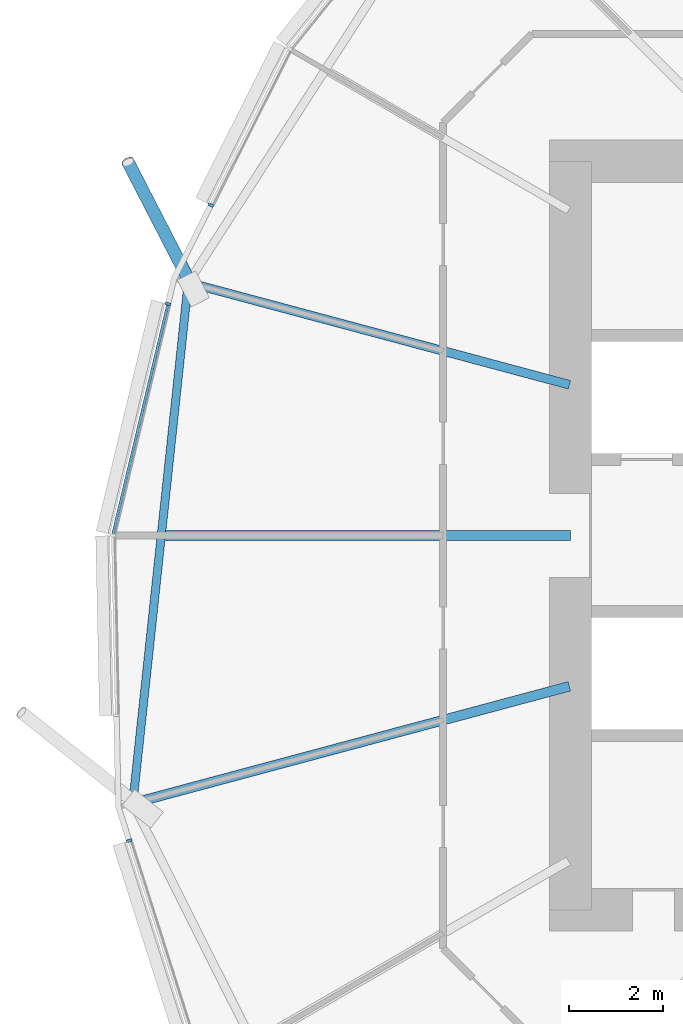
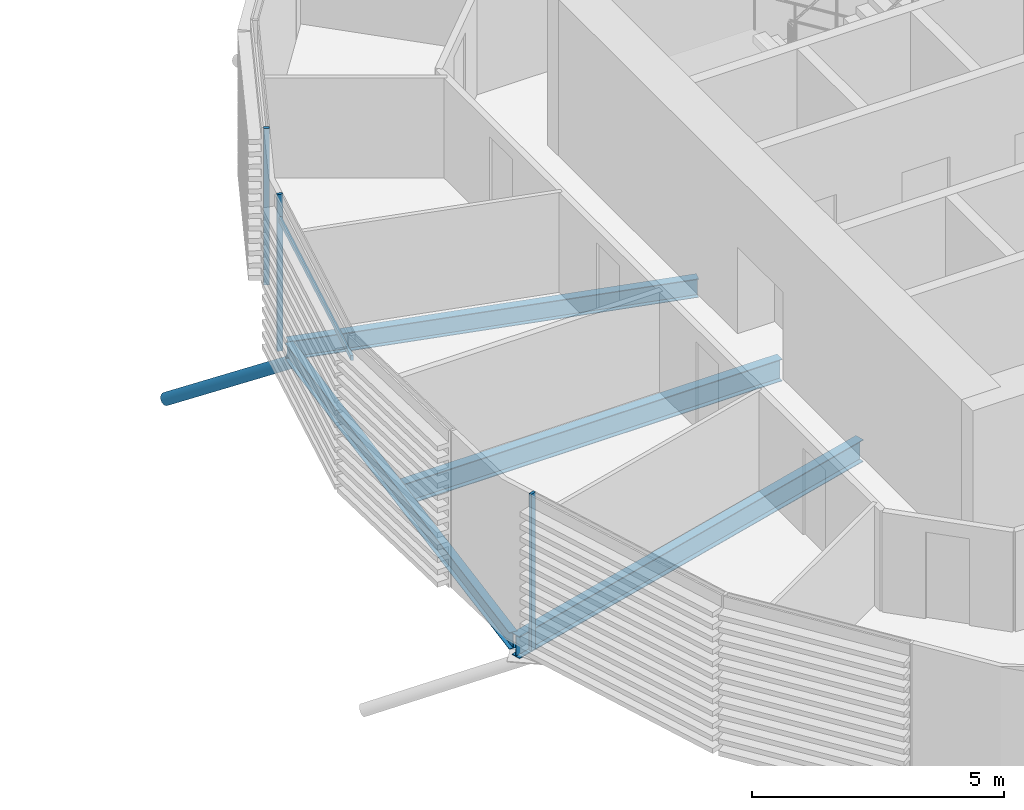
# One storey, part 14 of 37: 5 members, 4 beams, 1 element without a shape of its own.
"""IFC4 building model written with IfcOpenShell, lengths in metres."""

from ifc_helpers import new_model, si_unit, direction, frame, origin, origin_2d, place, context, subcontext, project, spatial, rectangle, hollow_circle, i_section, extrude, clip, halfspace, material, material_profile, profile_set, type_object, element, aggregate, save


model = new_model("IFC4")

# Units and contexts
model_context = context("Model", 3, precision=1e-05, world=origin(), true_north=direction((0.0, 1.0)))
body_context = subcontext(model_context, "Body", "Model", "MODEL_VIEW")
ifc_project = project(units=[si_unit("LENGTHUNIT", "METRE"), si_unit("AREAUNIT", "SQUARE_METRE"), si_unit("VOLUMEUNIT", "CUBIC_METRE"), si_unit("PLANEANGLEUNIT", "RADIAN"), si_unit("MASSUNIT", "GRAM", prefix="KILO")], contexts=[model_context])

# Site, building, storey
site_placement = place(None, origin())
site = spatial("IfcSite", under=ifc_project, at=site_placement, CompositionType="ELEMENT")
building_placement = place(site_placement, origin())
building = spatial("IfcBuilding", under=site, at=building_placement, Name="Rimbun Link Towers", CompositionType="ELEMENT")
storey_placement = place(building_placement, frame((0.0, 0.0, 60.39990234375)))
storey = spatial("IfcBuildingStorey", under=building, at=storey_placement, Name="L14", CompositionType="ELEMENT", Elevation=60.39990234375)

# Curtain wall, members
ifc_material_1 = material(Name="Aluminium 6063-T6 and low-iron glass", Category="aluminium")
curtain_wall_type = type_object("IfcCurtainWallType", Name="CW1 unitised vision wall", PredefinedType="NOTDEFINED", material=ifc_material_1)
curtain_wall_placement = place(storey_placement, origin())
curtain_wall = element("IfcCurtainWall", 1, at=curtain_wall_placement, inside=storey, type_object=curtain_wall_type, Name="CW1 L14 T2", PredefinedType="NOTDEFINED")
ifc_material_2 = material(Name="Aluminium 6063-T6", Category="aluminium")
ifc_material_profile_1 = material_profile(ifc_material_2, rectangle(XDim=0.1201171875, YDim=0.06005859375, at=origin_2d()), Name="MULLION 60X120")
ifc_profile_set_1 = profile_set([ifc_material_profile_1], Name="Aluminium 6063-T6")
member_type_1 = type_object("IfcMemberType", Name="CW1 mullion 60X120", PredefinedType="MULLION", material=ifc_profile_set_1)
member_1_placement = place(storey_placement, frame((12.06005859375, 7.062744140625, 0.0), z_axis=(0.0, 0.0, 1.0), x_axis=(-0.893637652343, 0.448789200311, 0.0)))
member_1 = element("IfcMember", 2, at=member_1_placement, type_object=member_type_1, Name="CW1 mullion", PredefinedType="MULLION", context=body_context, shape_type="SweptSolid", body=[
    extrude(rectangle(XDim=0.1201171875, YDim=0.06005859375, at=origin_2d()), origin(), (0.0, 0.0, 1.0), 3.800048828125),
])
member_2_placement = place(storey_placement, frame((11.14208984375, 4.950927734375, 0.0), z_axis=(0.0, 0.0, 1.0), x_axis=(-0.972571724543, 0.232603182737, 0.0)))
member_2 = element("IfcMember", 3, at=member_2_placement, type_object=member_type_1, Name="CW1 mullion", PredefinedType="MULLION", context=body_context, shape_type="SweptSolid", body=[
    extrude(rectangle(XDim=0.1201171875, YDim=0.06005859375, at=origin_2d()), origin(), (0.0, 0.0, 1.0), 3.800048828125),
])
member_3_placement = place(storey_placement, frame((10.311767578125, -6.522705078125, 0.0), z_axis=(0.0, 0.0, 1.0), x_axis=(-0.952967205153, -0.303073433186, 0.0)))
member_3 = element("IfcMember", 4, at=member_3_placement, type_object=member_type_1, Name="CW1 mullion", PredefinedType="MULLION", context=body_context, shape_type="SweptSolid", body=[
    extrude(rectangle(XDim=0.1201171875, YDim=0.06005859375, at=origin_2d()), origin(), (0.0, 0.0, 1.0), 3.800048828125),
])
ifc_material_3 = material(Name="Aluminium 6063-T6", Category="aluminium")
ifc_material_profile_2 = material_profile(ifc_material_3, rectangle(XDim=0.06005859375, YDim=0.1201171875, at=origin_2d()), Name="TRANSOM 60X120")
ifc_profile_set_2 = profile_set([ifc_material_profile_2], Name="Aluminium 6063-T6")
member_type_2 = type_object("IfcMemberType", Name="CW1 transom 60X120", PredefinedType="USERDEFINED", material=ifc_profile_set_2)
member_4_placement = place(storey_placement, frame((9.97021484375, 0.042724609375, 3.2001953125), z_axis=(0.23259423028, 0.972573865596, 0.0), x_axis=(-0.972573865596, 0.23259423028, 0.0)))
member_4 = element("IfcMember", 5, at=member_4_placement, type_object=member_type_2, Name="CW1 transom", ObjectType="TRANSOM", PredefinedType="USERDEFINED", context=body_context, shape_type="SweptSolid", body=[
    extrude(rectangle(XDim=0.06005859375, YDim=0.1201171875, at=origin_2d()), origin(), (0.0, 0.0, 1.0), 5.016357421875),
])
aggregate(curtain_wall, [member_1, member_2, member_3, member_4])

# Member
ifc_material_4 = material(Name="Steel S355J2H", Category="steel")
ifc_material_profile_3 = material_profile(ifc_material_4, hollow_circle(Radius=0.136474609375, WallThickness=0.012451171875, at=origin_2d()), Name="CHS 273x12.5")
ifc_profile_set_3 = profile_set([ifc_material_profile_3], Name="Steel S355J2H")
member_type_3 = type_object("IfcMemberType", Name="Floor edge link CHS 273x12.5", PredefinedType="BRACE", material=ifc_profile_set_3)
member_5_placement = place(storey_placement, frame((11.623291015625, 5.392822265625, -0.726318359375), z_axis=(-0.378223470315, 0.733935277945, -0.564168427236), x_axis=(-0.88890768612, -0.458086373468, 0.0)))
element("IfcMember", 6, at=member_5_placement, inside=storey, type_object=member_type_3, Name="Floor edge link T2 L14 08", PredefinedType="BRACE", context=body_context, shape_type="Clipping", body=[
    clip(extrude(hollow_circle(Radius=0.136474609375, WallThickness=0.012451171875, at=origin_2d()), frame((0.0, 0.0, -0.417236328125)), (0.0, 0.0, 1.0), 3.963623046875), halfspace(frame((0.0, 0.0, -0.19677734375), z_axis=(0.0, 0.825659727557, -0.564168427236)), False)),
])

# Beams
ifc_material_5 = material(Name="Steel S355J2", Category="steel")
ifc_material_profile_4 = material_profile(ifc_material_5, i_section(OverallWidth=0.177978515625, OverallDepth=0.406494140625, WebThickness=0.0078125, FlangeThickness=0.0126953125, at=origin_2d()), Name="UB 406x178x60")
ifc_profile_set_4 = profile_set([ifc_material_profile_4], Name="Steel S355J2")
beam_type_1 = type_object("IfcBeamType", Name="UB 406x178x60", PredefinedType="BEAM", material=ifc_profile_set_4)
beam_1_placement = place(storey_placement, frame((11.564697265625, 5.309326171875, -0.363037109375), z_axis=(-0.105843115363, -0.994382841229, 0.0), x_axis=(0.994382841229, -0.105843115363, 0.0)))
element("IfcBeam", 7, at=beam_1_placement, inside=storey, type_object=beam_type_1, Name="Edge beam T2 L14 08-10", PredefinedType="BEAM", context=body_context, shape_type="SweptSolid", body=[
    extrude(i_section(OverallWidth=0.177978515625, OverallDepth=0.406494140625, WebThickness=0.0078125, FlangeThickness=0.0126953125, at=origin_2d()), origin(), (0.0, 0.0, 1.0), 10.98193359375),
])
ifc_material_6 = material(Name="Steel S355J2", Category="steel")
ifc_material_profile_5 = material_profile(ifc_material_6, i_section(OverallWidth=0.18994140625, OverallDepth=0.453369140625, WebThickness=0.008544921875, FlangeThickness=0.0126953125, at=origin_2d()), Name="UB 457x191x67")
ifc_profile_set_5 = profile_set([ifc_material_profile_5], Name="Steel S355J2")
beam_type_2 = type_object("IfcBeamType", Name="UB 457x191x67", PredefinedType="BEAM", material=ifc_profile_set_5)
beam_2_placement = place(storey_placement, frame((19.724609375, 3.22216796875, -0.38671875), z_axis=(-0.965921572473, 0.258834920038, 0.0), x_axis=(-0.258834920038, -0.965921572473, 0.0)))
element("IfcBeam", 8, at=beam_2_placement, inside=storey, type_object=beam_type_2, Name="Radial beam T2 L14 08", PredefinedType="BEAM", context=body_context, shape_type="SweptSolid", body=[
    extrude(i_section(OverallWidth=0.18994140625, OverallDepth=0.453369140625, WebThickness=0.008544921875, FlangeThickness=0.0126953125, at=origin_2d()), origin(), (0.0, 0.0, 1.0), 8.437255859375),
])
ifc_material_7 = material(Name="Steel S355J2", Category="steel")
ifc_material_profile_6 = material_profile(ifc_material_7, i_section(OverallWidth=0.209228515625, OverallDepth=0.533203125, WebThickness=0.010009765625, FlangeThickness=0.015625, at=origin_2d()), Name="UB 533x210x92")
ifc_profile_set_6 = profile_set([ifc_material_profile_6], Name="Steel S355J2")
beam_type_3 = type_object("IfcBeamType", Name="UB 533x210x92", PredefinedType="BEAM", material=ifc_profile_set_6)
beam_3_placement = place(storey_placement, frame((19.7490234375, 0.0, -0.426513671875), z_axis=(-1.0, 0.0, 0.0), x_axis=(0.0, -1.0, 0.0)))
element("IfcBeam", 9, at=beam_3_placement, inside=storey, type_object=beam_type_3, Name="Radial beam T2 L14 09", PredefinedType="BEAM", context=body_context, shape_type="SweptSolid", body=[
    extrude(i_section(OverallWidth=0.209228515625, OverallDepth=0.533203125, WebThickness=0.010009765625, FlangeThickness=0.015625, at=origin_2d()), origin(), (0.0, 0.0, 1.0), 8.658935546875),
])
beam_4_placement = place(storey_placement, frame((19.721923828125, -3.222900390625, -0.426513671875), z_axis=(-0.965923008681, -0.258829560329, 0.0), x_axis=(0.258829560329, -0.965923008681, 0.0)))
element("IfcBeam", 10, at=beam_4_placement, inside=storey, type_object=beam_type_3, Name="Radial beam T2 L14 10", PredefinedType="BEAM", context=body_context, shape_type="SweptSolid", body=[
    extrude(i_section(OverallWidth=0.209228515625, OverallDepth=0.533203125, WebThickness=0.010009765625, FlangeThickness=0.015625, at=origin_2d()), origin(), (0.0, 0.0, 1.0), 9.66064453125),
])

save(model, "model.ifc")
